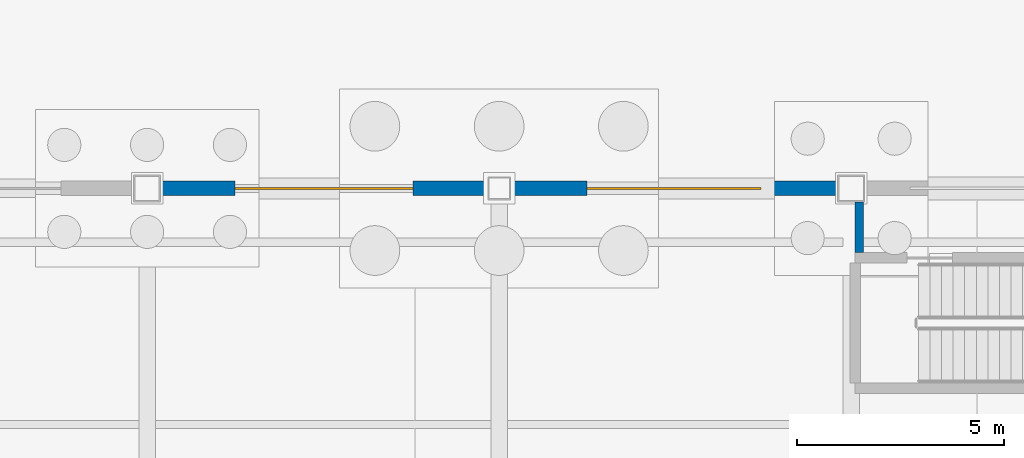
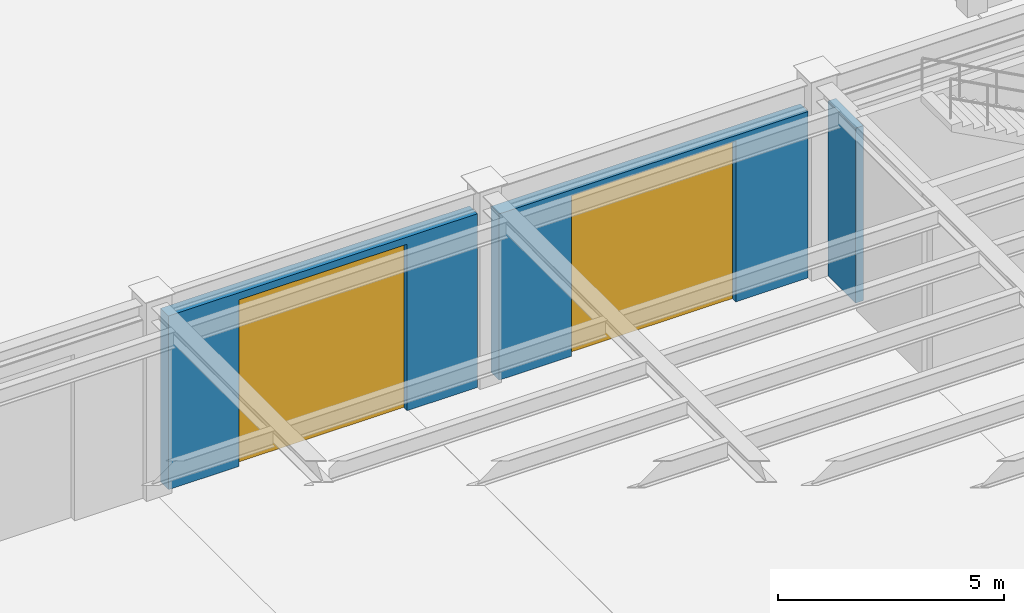
# One storey, part 64 of 86: 3 walls, 2 doors, 2 openings.
"""IFC4 building model written with IfcOpenShell, lengths in metres."""

from ifc_helpers import new_model, si_unit, direction, frame, frame_2d, origin, place, context, subcontext, project, spatial, rectangle, extrude, material, layer, layer_set, type_object, element, fill, save


model = new_model("IFC4")

# Units and contexts
model_context = context("Model", 3, precision=1e-05, world=origin(), true_north=direction((0.0, 1.0)))
body_context = subcontext(model_context, "Body", "Model", "MODEL_VIEW")
ifc_project = project(units=[si_unit("LENGTHUNIT", "METRE"), si_unit("AREAUNIT", "SQUARE_METRE"), si_unit("VOLUMEUNIT", "CUBIC_METRE"), si_unit("PLANEANGLEUNIT", "RADIAN"), si_unit("MASSUNIT", "GRAM", prefix="KILO"), si_unit("THERMODYNAMICTEMPERATUREUNIT", "KELVIN"), si_unit("POWERUNIT", "WATT")], contexts=[model_context])

# Site, building, storey
site_placement = place(None, origin())
site = spatial("IfcSite", under=ifc_project, at=site_placement, CompositionType="ELEMENT")
building_placement = place(site_placement, origin())
building = spatial("IfcBuilding", under=site, at=building_placement, Name="Zhenchuan Central Fire Station", CompositionType="ELEMENT")
storey_placement = place(building_placement, frame((0.0, 0.0, 0.449951171875)))
storey = spatial("IfcBuildingStorey", under=building, at=storey_placement, Name="L01", CompositionType="ELEMENT", Elevation=0.449951171875)

# Wall, opening, door
ifc_material_1 = material(Name="Sintered clay brick masonry MU15", Category="masonry")
ifc_layer_1 = layer(ifc_material_1, 0.35009765625, Name="Sintered clay brick masonry MU15", Category="masonry")
ifc_layer_set_1 = layer_set([ifc_layer_1], Name="Sintered clay brick masonry MU15")
wall_type_1 = type_object("IfcWallType", Name="EW-BRK350", PredefinedType="SOLIDWALL", material=ifc_layer_set_1)
wall_1_placement = place(storey_placement, frame((107.324951171875, 35.5, 0.0), z_axis=(0.0, 0.0, 1.0), x_axis=(1.0, 0.0, 0.0)))
wall_1 = element("IfcWall", 1, at=wall_1_placement, inside=storey, type_object=wall_type_1, Name="Appliance Bay 07 North Sintered Brick Return Wall", PredefinedType="SOLIDWALL", context=body_context, shape_type="SweptSolid", body=[
    extrude(rectangle(XDim=7.900146484375, YDim=0.35009765625, at=frame_2d((3.9501953125, 0.0))), origin(), (0.0, 0.0, 1.0), 4.694091796875),
])
opening_1_placement = place(wall_1_placement, frame((1.800048828125, 0.0, 0.0)))
opening_1 = element("IfcOpeningElement", 2, at=opening_1_placement, cuts=wall_1, Name="Opening BG-013", PredefinedType="OPENING", context=body_context, shape_type="SweptSolid", body=[
    extrude(rectangle(XDim=4.300048828125, YDim=4.5, at=frame_2d((2.14990234375, 2.25))), frame((0.0, 0.18505859375, 0.0), z_axis=(0.0, -1.0, 0.0), x_axis=(1.0, 0.0, 0.0)), (0.0, 0.0, 1.0), 0.3701171875),
])
ifc_material_2 = material(Name="Anodised aluminium and laminated glazing", Category="aluminium")
door_type_1 = type_object("IfcDoorType", Name="DG-BAY-430x450", OperationType="NOTDEFINED", PredefinedType="GATE", material=ifc_material_2)
door_1_placement = place(opening_1_placement, origin())
door_1 = element("IfcDoor", 3, at=door_1_placement, inside=storey, type_object=door_type_1, Name="Appliance North Glazed Bi-Fold Gate 07", OperationType="FOLDING_TO_LEFT", OverallHeight=4.5, OverallWidth=4.300048828125, PredefinedType="GATE", context=body_context, shape_type="SweptSolid", body=[
    extrude(rectangle(XDim=4.300048828125, YDim=4.5, at=frame_2d((2.14990234375, 2.25))), frame((0.0, 0.02490234375, 0.0), z_axis=(0.0, -1.0, 0.0), x_axis=(1.0, 0.0, 0.0)), (0.0, 0.0, 1.0), 0.050048828125),
])
fill(opening_1, door_1)

wall_2_placement = place(storey_placement, frame((115.77490234375, 35.5, 0.0), z_axis=(0.0, 0.0, 1.0), x_axis=(1.0, 0.0, 0.0)))
wall_2 = element("IfcWall", 4, at=wall_2_placement, inside=storey, type_object=wall_type_1, Name="Appliance Bay 08 North Sintered Brick Return Wall", PredefinedType="SOLIDWALL", context=body_context, shape_type="SweptSolid", body=[
    extrude(rectangle(XDim=7.900146484375, YDim=0.35009765625, at=frame_2d((3.9501953125, 0.0))), origin(), (0.0, 0.0, 1.0), 4.494140625),
])
opening_2_placement = place(wall_2_placement, frame((1.85009765625, 0.0, 0.0)))
opening_2 = element("IfcOpeningElement", 5, at=opening_2_placement, cuts=wall_2, Name="Opening BG-015", PredefinedType="OPENING", context=body_context, shape_type="SweptSolid", body=[
    extrude(rectangle(XDim=4.199951171875, YDim=4.343994140625, at=frame_2d((2.10009765625, 2.171875))), frame((0.0, 0.18505859375, 0.0), z_axis=(0.0, -1.0, 0.0), x_axis=(1.0, 0.0, 0.0)), (0.0, 0.0, 1.0), 0.3701171875),
])
door_type_2 = type_object("IfcDoorType", Name="DG-BAY-420x450", OperationType="NOTDEFINED", PredefinedType="GATE", material=ifc_material_2)
door_2_placement = place(opening_2_placement, origin())
door_2 = element("IfcDoor", 6, at=door_2_placement, inside=storey, type_object=door_type_2, Name="Appliance North Glazed Bi-Fold Gate 08", OperationType="FOLDING_TO_LEFT", OverallHeight=4.343994140625, OverallWidth=4.199951171875, PredefinedType="GATE", context=body_context, shape_type="SweptSolid", body=[
    extrude(rectangle(XDim=4.199951171875, YDim=4.343994140625, at=frame_2d((2.10009765625, 2.171875))), frame((0.0, 0.02490234375, 0.0), z_axis=(0.0, -1.0, 0.0), x_axis=(1.0, 0.0, 0.0)), (0.0, 0.0, 1.0), 0.050048828125),
])
fill(opening_2, door_2)

# Wall
ifc_material_3 = material(Name="Autoclaved aerated concrete blockwork", Category="masonry")
ifc_layer_2 = layer(ifc_material_3, 0.199951171875, Name="Autoclaved aerated concrete blockwork", Category="masonry")
ifc_layer_set_2 = layer_set([ifc_layer_2], Name="Autoclaved aerated concrete blockwork")
wall_type_2 = type_object("IfcWallType", Name="IW-FIR200", PredefinedType="PARTITIONING", material=ifc_layer_set_2)
wall_3_placement = place(storey_placement, frame((124.195068359375, 33.9541015625, 0.0), z_axis=(0.0, 0.0, 1.0), x_axis=(0.0, 1.0, 0.0)))
element("IfcWall", 7, at=wall_3_placement, inside=storey, type_object=wall_type_2, Name="ST-09 Protected Exit Vestibule West Fire Wall", PredefinedType="PARTITIONING", context=body_context, shape_type="SweptSolid", body=[
    extrude(rectangle(XDim=1.216796875, YDim=0.199951171875, at=frame_2d((0.6083984375, 0.0))), origin(), (0.0, 0.0, 1.0), 4.72998046875),
])

save(model, "model.ifc")
